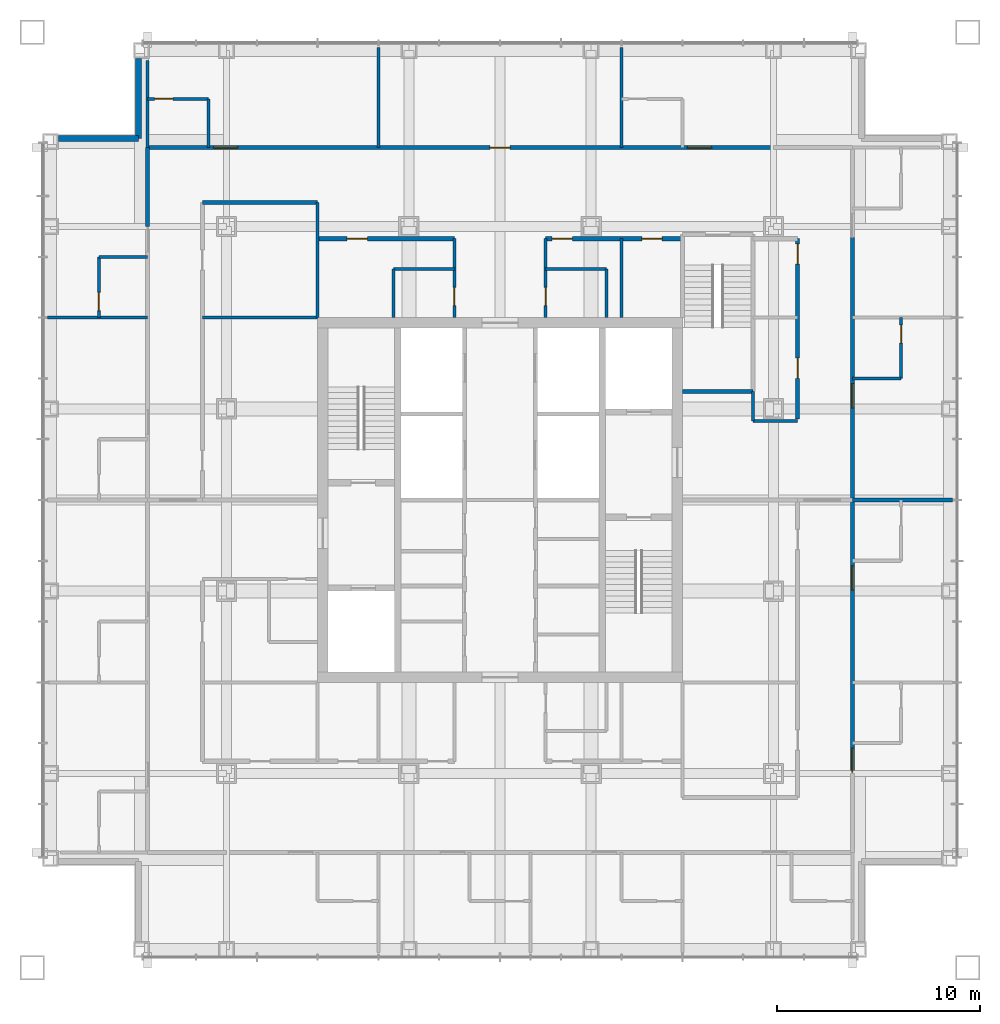
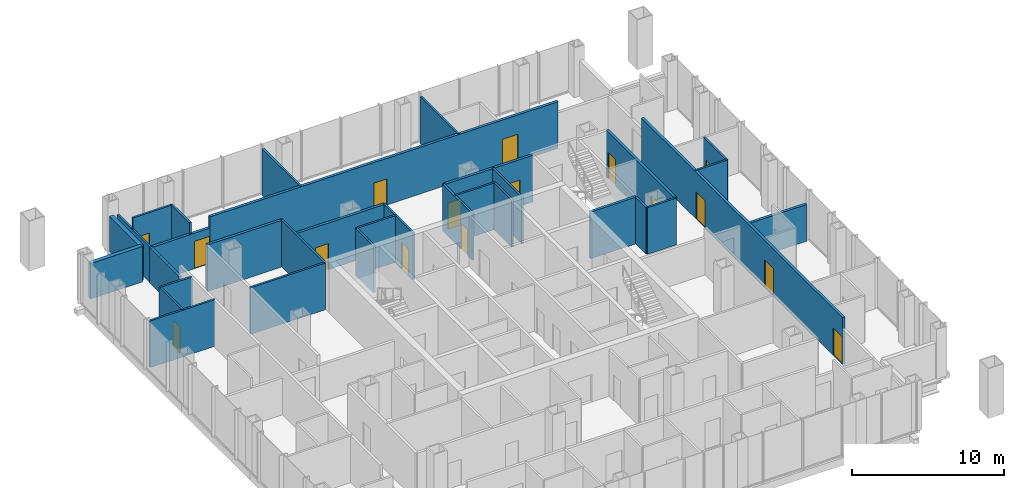
# One storey, part 9 of 11: 33 walls, 16 doors, 16 openings.
"""IFC4 building model written with IfcOpenShell, lengths in metres."""

from ifc_helpers import new_model, si_unit, direction, frame, frame_2d, origin, place, context, subcontext, project, spatial, rectangle, extrude, material, layer, layer_set, type_object, element, fill, save


model = new_model("IFC4")

# Units and contexts
model_context = context("Model", 3, precision=1e-05, world=origin(), true_north=direction((0.0, 1.0)))
body_context = subcontext(model_context, "Body", "Model", "MODEL_VIEW")
ifc_project = project(units=[si_unit("LENGTHUNIT", "METRE"), si_unit("AREAUNIT", "SQUARE_METRE"), si_unit("VOLUMEUNIT", "CUBIC_METRE"), si_unit("PLANEANGLEUNIT", "RADIAN"), si_unit("MASSUNIT", "GRAM", prefix="KILO")], contexts=[model_context])

# Site, building, storey
site_placement = place(None, origin())
site = spatial("IfcSite", under=ifc_project, at=site_placement, CompositionType="ELEMENT")
building_placement = place(site_placement, origin())
building = spatial("IfcBuilding", under=site, at=building_placement, Name="Malebo Sky Hospital", CompositionType="ELEMENT")
storey_placement = place(building_placement, frame((0.0, 0.0, 205.0)))
storey = spatial("IfcBuildingStorey", under=building, at=storey_placement, Name="L49", CompositionType="ELEMENT", Elevation=205.0)

# Wall, opening, door
ifc_material_1 = material(Name="Gypsum board on steel studs", Category="steel")
ifc_layer_1 = layer(ifc_material_1, 0.199951171875)
ifc_layer_set_1 = layer_set([ifc_layer_1], Name="CORRIDOR WALL 200")
wall_type_1 = type_object("IfcWallType", Name="CORRIDOR WALL 200", PredefinedType="PARTITIONING", material=ifc_layer_set_1)
wall_1_placement = place(storey_placement, frame((42.60009765625, 79.39990234375, 0.0), z_axis=(0.0, 0.0, 1.0), x_axis=(1.0, 0.0, 0.0)))
wall_1 = element("IfcWall", 1, at=wall_1_placement, inside=storey, type_object=wall_type_1, Name="Corridor Wall 200 NCO", PredefinedType="PARTITIONING", context=body_context, shape_type="SweptSolid", body=[
    extrude(rectangle(XDim=4.449951171875, YDim=0.199951171875, at=frame_2d((2.22509765625, 0.0))), origin(), (0.0, 0.0, 1.0), 2.85009765625),
])
opening_1_placement = place(wall_1_placement, frame((3.25, 0.0, 0.0)))
opening_1 = element("IfcOpeningElement", 2, at=opening_1_placement, cuts=wall_1, Name="Opening D01", PredefinedType="OPENING", context=body_context, shape_type="SweptSolid", body=[
    extrude(rectangle(XDim=1.199951171875, YDim=2.199951171875, at=frame_2d((0.60009765625, 1.10009765625))), frame((0.0, 0.10986328125, 0.0), z_axis=(0.0, -1.0, 0.0), x_axis=(1.0, 0.0, 0.0)), (0.0, 0.0, 1.0), 0.219970703125),
])
ifc_material_2 = material(Name="Hardwood-faced door leaf in steel frame", Category="steel")
door_type_1 = type_object("IfcDoorType", Name="BED DOOR 1200", OperationType="SINGLE_SWING_LEFT", PredefinedType="DOOR", material=ifc_material_2)
door_1_placement = place(opening_1_placement, origin())
door_1 = element("IfcDoor", 3, at=door_1_placement, inside=storey, type_object=door_type_1, Name="Birthing room door", OperationType="SINGLE_SWING_LEFT", OverallHeight=2.199951171875, OverallWidth=1.199951171875, PredefinedType="DOOR", context=body_context, shape_type="SweptSolid", body=[
    extrude(rectangle(XDim=1.199951171875, YDim=2.199951171875, at=frame_2d((0.60009765625, 1.10009765625))), frame((0.0, 0.02490234375, 0.0), z_axis=(0.0, -1.0, 0.0), x_axis=(1.0, 0.0, 0.0)), (0.0, 0.0, 1.0), 0.050048828125),
])
fill(opening_1, door_1)

# Wall, openings, doors
wall_2_placement = place(storey_placement, frame((47.050048828125, 79.39990234375, 0.0), z_axis=(0.0, 0.0, 1.0), x_axis=(1.0, 0.0, 0.0)))
wall_2 = element("IfcWall", 4, at=wall_2_placement, inside=storey, type_object=wall_type_1, Name="Corridor Wall 200 NCO", PredefinedType="PARTITIONING", context=body_context, shape_type="SweptSolid", body=[
    extrude(rectangle(XDim=26.449951171875, YDim=0.199951171875, at=frame_2d((13.22509765625, 0.0))), origin(), (0.0, 0.0, 1.0), 3.75),
])
opening_2_placement = place(wall_2_placement, frame((12.449951171875, 0.0, 0.0)))
opening_2 = element("IfcOpeningElement", 5, at=opening_2_placement, cuts=wall_2, Name="Opening D03", PredefinedType="OPENING", context=body_context, shape_type="SweptSolid", body=[
    extrude(rectangle(XDim=1.0, YDim=2.10009765625, at=frame_2d((0.5, 1.050048828125))), frame((0.0, 0.10986328125, 0.0), z_axis=(0.0, -1.0, 0.0), x_axis=(1.0, 0.0, 0.0)), (0.0, 0.0, 1.0), 0.219970703125),
])
opening_3_placement = place(wall_2_placement, frame((22.199951171875, 0.0, 0.0)))
opening_3 = element("IfcOpeningElement", 6, at=opening_3_placement, cuts=wall_2, Name="Opening D01", PredefinedType="OPENING", context=body_context, shape_type="SweptSolid", body=[
    extrude(rectangle(XDim=1.199951171875, YDim=2.199951171875, at=frame_2d((0.60009765625, 1.10009765625))), frame((0.0, 0.10986328125, 0.0), z_axis=(0.0, -1.0, 0.0), x_axis=(1.0, 0.0, 0.0)), (0.0, 0.0, 1.0), 0.219970703125),
])
door_2_placement = place(opening_3_placement, origin())
door_2 = element("IfcDoor", 7, at=door_2_placement, inside=storey, type_object=door_type_1, Name="Birthing room door", OperationType="SINGLE_SWING_LEFT", OverallHeight=2.199951171875, OverallWidth=1.199951171875, PredefinedType="DOOR", context=body_context, shape_type="SweptSolid", body=[
    extrude(rectangle(XDim=1.199951171875, YDim=2.199951171875, at=frame_2d((0.60009765625, 1.10009765625))), frame((0.0, 0.02490234375, 0.0), z_axis=(0.0, -1.0, 0.0), x_axis=(1.0, 0.0, 0.0)), (0.0, 0.0, 1.0), 0.050048828125),
])
fill(opening_3, door_2)
door_type_2 = type_object("IfcDoorType", Name="ROOM DOOR 1000", OperationType="SINGLE_SWING_LEFT", PredefinedType="DOOR", material=ifc_material_2)
door_3_placement = place(opening_2_placement, origin())
door_3 = element("IfcDoor", 8, at=door_3_placement, inside=storey, type_object=door_type_2, Name="Patient lounge door", OperationType="SINGLE_SWING_LEFT", OverallHeight=2.10009765625, OverallWidth=1.0, PredefinedType="DOOR", context=body_context, shape_type="SweptSolid", body=[
    extrude(rectangle(XDim=1.0, YDim=2.10009765625, at=frame_2d((0.5, 1.050048828125))), frame((0.0, 0.02490234375, 0.0), z_axis=(0.0, -1.0, 0.0), x_axis=(1.0, 0.0, 0.0)), (0.0, 0.0, 1.0), 0.050048828125),
])
fill(opening_2, door_3)

# Wall
wall_3_placement = place(storey_placement, frame((45.300048828125, 76.699951171875, 0.0), z_axis=(0.0, 0.0, 1.0), x_axis=(1.0, 0.0, 0.0)))
element("IfcWall", 9, at=wall_3_placement, inside=storey, type_object=wall_type_1, Name="Corridor Wall 200 NCIK", PredefinedType="PARTITIONING", context=body_context, shape_type="SweptSolid", body=[
    extrude(rectangle(XDim=5.699951171875, YDim=0.199951171875, at=frame_2d((2.85009765625, 0.0))), origin(), (0.0, 0.0, 1.0), 3.75),
])

# Wall, opening, door
wall_4_placement = place(storey_placement, frame((51.0, 74.89990234375, 0.0), z_axis=(0.0, 0.0, 1.0), x_axis=(1.0, 0.0, 0.0)))
wall_4 = element("IfcWall", 10, at=wall_4_placement, inside=storey, type_object=wall_type_1, Name="Corridor Wall 200 NCI1", PredefinedType="PARTITIONING", context=body_context, shape_type="SweptSolid", body=[
    extrude(rectangle(XDim=6.75, YDim=0.199951171875, at=frame_2d((3.375, 0.0))), origin(), (0.0, 0.0, 1.0), 3.75),
])
opening_4_placement = place(wall_4_placement, frame((1.449951171875, 0.0, 0.0)))
opening_4 = element("IfcOpeningElement", 11, at=opening_4_placement, cuts=wall_4, Name="Opening D03", PredefinedType="OPENING", context=body_context, shape_type="SweptSolid", body=[
    extrude(rectangle(XDim=1.0, YDim=2.10009765625, at=frame_2d((0.5, 1.050048828125))), frame((0.0, 0.10986328125, 0.0), z_axis=(0.0, -1.0, 0.0), x_axis=(1.0, 0.0, 0.0)), (0.0, 0.0, 1.0), 0.219970703125),
])
door_4_placement = place(opening_4_placement, origin())
door_4 = element("IfcDoor", 12, at=door_4_placement, inside=storey, type_object=door_type_2, Name="Neonatal resuscitation room door", OperationType="SINGLE_SWING_LEFT", OverallHeight=2.10009765625, OverallWidth=1.0, PredefinedType="DOOR", context=body_context, shape_type="SweptSolid", body=[
    extrude(rectangle(XDim=1.0, YDim=2.10009765625, at=frame_2d((0.5, 1.050048828125))), frame((0.0, 0.02490234375, 0.0), z_axis=(0.0, -1.0, 0.0), x_axis=(1.0, 0.0, 0.0)), (0.0, 0.0, 1.0), 0.050048828125),
])
fill(opening_4, door_4)

# Wall, openings, doors
wall_5_placement = place(storey_placement, frame((62.25, 74.89990234375, 0.0), z_axis=(0.0, 0.0, 1.0), x_axis=(1.0, 0.0, 0.0)))
wall_5 = element("IfcWall", 13, at=wall_5_placement, inside=storey, type_object=wall_type_1, Name="Corridor Wall 200 NCI2", PredefinedType="PARTITIONING", context=body_context, shape_type="SweptSolid", body=[
    extrude(rectangle(XDim=6.75, YDim=0.199951171875, at=frame_2d((3.375, 0.0))), origin(), (0.0, 0.0, 1.0), 3.75),
])
opening_5_placement = place(wall_5_placement, frame((0.324951171875, 0.0, 0.0)))
opening_5 = element("IfcOpeningElement", 14, at=opening_5_placement, cuts=wall_5, Name="Opening D03", PredefinedType="OPENING", context=body_context, shape_type="SweptSolid", body=[
    extrude(rectangle(XDim=1.0, YDim=2.10009765625, at=frame_2d((0.5, 1.050048828125))), frame((0.0, 0.10986328125, 0.0), z_axis=(0.0, -1.0, 0.0), x_axis=(1.0, 0.0, 0.0)), (0.0, 0.0, 1.0), 0.219970703125),
])
opening_6_placement = place(wall_5_placement, frame((4.75, 0.0, 0.0)))
opening_6 = element("IfcOpeningElement", 15, at=opening_6_placement, cuts=wall_5, Name="Opening D03", PredefinedType="OPENING", context=body_context, shape_type="SweptSolid", body=[
    extrude(rectangle(XDim=1.0, YDim=2.10009765625, at=frame_2d((0.5, 1.050048828125))), frame((0.0, 0.10986328125, 0.0), z_axis=(0.0, -1.0, 0.0), x_axis=(1.0, 0.0, 0.0)), (0.0, 0.0, 1.0), 0.219970703125),
])
door_5_placement = place(opening_5_placement, origin())
door_5 = element("IfcDoor", 16, at=door_5_placement, inside=storey, type_object=door_type_2, Name="Medication room door", OperationType="SINGLE_SWING_LEFT", OverallHeight=2.10009765625, OverallWidth=1.0, PredefinedType="DOOR", context=body_context, shape_type="SweptSolid", body=[
    extrude(rectangle(XDim=1.0, YDim=2.10009765625, at=frame_2d((0.5, 1.050048828125))), frame((0.0, 0.02490234375, 0.0), z_axis=(0.0, -1.0, 0.0), x_axis=(1.0, 0.0, 0.0)), (0.0, 0.0, 1.0), 0.050048828125),
])
fill(opening_5, door_5)
door_6_placement = place(opening_6_placement, origin())
door_6 = element("IfcDoor", 17, at=door_6_placement, inside=storey, type_object=door_type_2, Name="Dirty utility room door", OperationType="SINGLE_SWING_RIGHT", OverallHeight=2.10009765625, OverallWidth=1.0, PredefinedType="DOOR", context=body_context, shape_type="SweptSolid", body=[
    extrude(rectangle(XDim=1.0, YDim=2.10009765625, at=frame_2d((0.5, 1.050048828125))), frame((0.0, 0.02490234375, 0.0), z_axis=(0.0, -1.0, 0.0), x_axis=(1.0, 0.0, 0.0)), (0.0, 0.0, 1.0), 0.050048828125),
])
fill(opening_6, door_6)

# Wall
wall_6_placement = place(storey_placement, frame((42.60009765625, 75.5, 0.0), z_axis=(0.0, 0.0, 1.0), x_axis=(0.0, 1.0, 0.0)))
element("IfcWall", 18, at=wall_6_placement, inside=storey, type_object=wall_type_1, Name="Corridor Wall 200 WCO", PredefinedType="PARTITIONING", context=body_context, shape_type="SweptSolid", body=[
    extrude(rectangle(XDim=3.89990234375, YDim=0.199951171875, at=frame_2d((1.949951171875, 0.0))), origin(), (0.0, 0.0, 1.0), 2.85009765625),
])

# Wall, openings, doors
wall_7_placement = place(storey_placement, frame((77.39990234375, 74.949951171875, 0.0), z_axis=(0.0, 0.0, 1.0), x_axis=(0.0, -1.0, 0.0)))
wall_7 = element("IfcWall", 19, at=wall_7_placement, inside=storey, type_object=wall_type_1, Name="Corridor Wall 200 ECO", PredefinedType="PARTITIONING", context=body_context, shape_type="SweptSolid", body=[
    extrude(rectangle(XDim=26.449951171875, YDim=0.199951171875, at=frame_2d((13.22509765625, 0.0))), origin(), (0.0, 0.0, 1.0), 3.75),
])
opening_7_placement = place(wall_7_placement, frame((7.199951171875, 0.0, 0.0)))
opening_7 = element("IfcOpeningElement", 20, at=opening_7_placement, cuts=wall_7, Name="Opening D01", PredefinedType="OPENING", context=body_context, shape_type="SweptSolid", body=[
    extrude(rectangle(XDim=1.199951171875, YDim=2.199951171875, at=frame_2d((0.60009765625, 1.10009765625))), frame((0.0, 0.10986328125, 0.0), z_axis=(0.0, -1.0, 0.0), x_axis=(1.0, 0.0, 0.0)), (0.0, 0.0, 1.0), 0.219970703125),
])
opening_8_placement = place(wall_7_placement, frame((16.199951171875, 0.0, 0.0)))
opening_8 = element("IfcOpeningElement", 21, at=opening_8_placement, cuts=wall_7, Name="Opening D01", PredefinedType="OPENING", context=body_context, shape_type="SweptSolid", body=[
    extrude(rectangle(XDim=1.199951171875, YDim=2.199951171875, at=frame_2d((0.60009765625, 1.10009765625))), frame((0.0, 0.10986328125, 0.0), z_axis=(0.0, -1.0, 0.0), x_axis=(1.0, 0.0, 0.0)), (0.0, 0.0, 1.0), 0.219970703125),
])
opening_9_placement = place(wall_7_placement, frame((25.199951171875, 0.0, 0.0)))
opening_9 = element("IfcOpeningElement", 22, at=opening_9_placement, cuts=wall_7, Name="Opening D01", PredefinedType="OPENING", context=body_context, shape_type="SweptSolid", body=[
    extrude(rectangle(XDim=1.199951171875, YDim=2.199951171875, at=frame_2d((0.60009765625, 1.10009765625))), frame((0.0, 0.10986328125, 0.0), z_axis=(0.0, -1.0, 0.0), x_axis=(1.0, 0.0, 0.0)), (0.0, 0.0, 1.0), 0.219970703125),
])
door_7_placement = place(opening_7_placement, origin())
door_7 = element("IfcDoor", 23, at=door_7_placement, inside=storey, type_object=door_type_1, Name="Birthing room door", OperationType="SINGLE_SWING_LEFT", OverallHeight=2.199951171875, OverallWidth=1.199951171875, PredefinedType="DOOR", context=body_context, shape_type="SweptSolid", body=[
    extrude(rectangle(XDim=1.199951171875, YDim=2.199951171875, at=frame_2d((0.60009765625, 1.10009765625))), frame((0.0, 0.02490234375, 0.0), z_axis=(0.0, -1.0, 0.0), x_axis=(1.0, 0.0, 0.0)), (0.0, 0.0, 1.0), 0.050048828125),
])
fill(opening_7, door_7)
door_8_placement = place(opening_8_placement, origin())
door_8 = element("IfcDoor", 24, at=door_8_placement, inside=storey, type_object=door_type_1, Name="Birthing room door", OperationType="SINGLE_SWING_LEFT", OverallHeight=2.199951171875, OverallWidth=1.199951171875, PredefinedType="DOOR", context=body_context, shape_type="SweptSolid", body=[
    extrude(rectangle(XDim=1.199951171875, YDim=2.199951171875, at=frame_2d((0.60009765625, 1.10009765625))), frame((0.0, 0.02490234375, 0.0), z_axis=(0.0, -1.0, 0.0), x_axis=(1.0, 0.0, 0.0)), (0.0, 0.0, 1.0), 0.050048828125),
])
fill(opening_8, door_8)
door_9_placement = place(opening_9_placement, origin())
door_9 = element("IfcDoor", 25, at=door_9_placement, inside=storey, type_object=door_type_1, Name="Birthing room door", OperationType="SINGLE_SWING_LEFT", OverallHeight=2.199951171875, OverallWidth=1.199951171875, PredefinedType="DOOR", context=body_context, shape_type="SweptSolid", body=[
    extrude(rectangle(XDim=1.199951171875, YDim=2.199951171875, at=frame_2d((0.60009765625, 1.10009765625))), frame((0.0, 0.02490234375, 0.0), z_axis=(0.0, -1.0, 0.0), x_axis=(1.0, 0.0, 0.0)), (0.0, 0.0, 1.0), 0.050048828125),
])
fill(opening_9, door_9)

wall_8_placement = place(storey_placement, frame((74.699951171875, 74.89990234375, 0.0), z_axis=(0.0, 0.0, 1.0), x_axis=(0.0, -1.0, 0.0)))
wall_8 = element("IfcWall", 26, at=wall_8_placement, inside=storey, type_object=wall_type_1, Name="Corridor Wall 200 ECI1", PredefinedType="PARTITIONING", context=body_context, shape_type="SweptSolid", body=[
    extrude(rectangle(XDim=8.89990234375, YDim=0.199951171875, at=frame_2d((4.449951171875, 0.0))), origin(), (0.0, 0.0, 1.0), 3.75),
])
opening_10_placement = place(wall_8_placement, frame((0.25, 0.0, 0.0)))
opening_10 = element("IfcOpeningElement", 27, at=opening_10_placement, cuts=wall_8, Name="Opening D03", PredefinedType="OPENING", context=body_context, shape_type="SweptSolid", body=[
    extrude(rectangle(XDim=1.0, YDim=2.10009765625, at=frame_2d((0.5, 1.050048828125))), frame((0.0, 0.10986328125, 0.0), z_axis=(0.0, -1.0, 0.0), x_axis=(1.0, 0.0, 0.0)), (0.0, 0.0, 1.0), 0.219970703125),
])
opening_11_placement = place(wall_8_placement, frame((5.89990234375, 0.0, 0.0)))
opening_11 = element("IfcOpeningElement", 28, at=opening_11_placement, cuts=wall_8, Name="Opening D03", PredefinedType="OPENING", context=body_context, shape_type="SweptSolid", body=[
    extrude(rectangle(XDim=1.0, YDim=2.10009765625, at=frame_2d((0.5, 1.050048828125))), frame((0.0, 0.10986328125, 0.0), z_axis=(0.0, -1.0, 0.0), x_axis=(1.0, 0.0, 0.0)), (0.0, 0.0, 1.0), 0.219970703125),
])
door_10_placement = place(opening_10_placement, origin())
door_10 = element("IfcDoor", 29, at=door_10_placement, inside=storey, type_object=door_type_2, Name="Treatment room door", OperationType="SINGLE_SWING_LEFT", OverallHeight=2.10009765625, OverallWidth=1.0, PredefinedType="DOOR", context=body_context, shape_type="SweptSolid", body=[
    extrude(rectangle(XDim=1.0, YDim=2.10009765625, at=frame_2d((0.5, 1.050048828125))), frame((0.0, 0.02490234375, 0.0), z_axis=(0.0, -1.0, 0.0), x_axis=(1.0, 0.0, 0.0)), (0.0, 0.0, 1.0), 0.050048828125),
])
fill(opening_10, door_10)
door_11_placement = place(opening_11_placement, origin())
door_11 = element("IfcDoor", 30, at=door_11_placement, inside=storey, type_object=door_type_2, Name="Interview room door", OperationType="SINGLE_SWING_LEFT", OverallHeight=2.10009765625, OverallWidth=1.0, PredefinedType="DOOR", context=body_context, shape_type="SweptSolid", body=[
    extrude(rectangle(XDim=1.0, YDim=2.10009765625, at=frame_2d((0.5, 1.050048828125))), frame((0.0, 0.02490234375, 0.0), z_axis=(0.0, -1.0, 0.0), x_axis=(1.0, 0.0, 0.0)), (0.0, 0.0, 1.0), 0.050048828125),
])
fill(opening_11, door_11)

# Walls
ifc_material_3 = material(Name="Anodised aluminium rainscreen on steel framing", Category="steel")
ifc_layer_2 = layer(ifc_material_3, 0.300048828125)
ifc_layer_set_2 = layer_set([ifc_layer_2], Name="NOTCH RAINSCREEN WALL 300")
wall_type_2 = type_object("IfcWallType", Name="NOTCH RAINSCREEN WALL 300", PredefinedType="ELEMENTEDWALL", material=ifc_layer_set_2)
for number, where, z_axis, x_axis, name in (
    (31, (38.199951171875, 79.85009765625, 0.0), (0.0, 0.0, 1.0), (1.0, 0.0, 0.0), "Notch rainscreen wall W1 L49"),
    (32, (42.14990234375, 79.85009765625, 0.0), (0.0, 0.0, 1.0), (0.0, 1.0, 0.0), "Notch rainscreen wall W2 L49"),
):
    element("IfcWall", number, at=place(storey_placement, frame(where, z_axis=z_axis, x_axis=x_axis)), inside=storey, type_object=wall_type_2, Name=name, PredefinedType="ELEMENTEDWALL", context=body_context, shape_type="SweptSolid", body=[
        extrude(rectangle(XDim=3.949951171875, YDim=0.300048828125, at=frame_2d((1.97509765625, 0.0))), origin(), (0.0, 0.0, 1.0), 2.85009765625),
    ])
ifc_layer_3 = layer(ifc_material_1, 0.14990234375)
ifc_layer_set_3 = layer_set([ifc_layer_3], Name="PARTITION 150")
wall_type_3 = type_object("IfcWallType", Name="PARTITION 150", PredefinedType="PARTITIONING", material=ifc_layer_set_3)
for number, where, z_axis, x_axis, name in (
    (33, (54.0, 79.39990234375, 0.0), (0.0, 0.0, 1.0), (0.0, 1.0, 0.0), "Partition 150 NP-6.0"),
    (34, (66.0, 79.39990234375, 0.0), (0.0, 0.0, 1.0), (0.0, 1.0, 0.0), "Partition 150 NP+6.0"),
):
    element("IfcWall", number, at=place(storey_placement, frame(where, z_axis=z_axis, x_axis=x_axis)), inside=storey, type_object=wall_type_3, Name=name, PredefinedType="PARTITIONING", context=body_context, shape_type="SweptSolid", body=[
        extrude(rectangle(XDim=4.9501953125, YDim=0.14990234375, at=frame_2d((2.47509765625, 0.0))), origin(), (0.0, 0.0, 1.0), 3.75),
    ])
wall_9_placement = place(storey_placement, frame((42.60009765625, 79.39990234375, 0.0), z_axis=(0.0, 0.0, 1.0), x_axis=(0.0, 1.0, 0.0)))
element("IfcWall", 35, at=wall_9_placement, inside=storey, type_object=wall_type_3, Name="Partition 150 NP0", PredefinedType="PARTITIONING", context=body_context, shape_type="SweptSolid", body=[
    extrude(rectangle(XDim=4.300048828125, YDim=0.14990234375, at=frame_2d((2.14990234375, 0.0))), origin(), (0.0, 0.0, 1.0), 2.85009765625),
])

# Wall, opening, door
wall_10_placement = place(storey_placement, frame((42.60009765625, 81.800048828125, 0.0), z_axis=(0.0, 0.0, 1.0), x_axis=(1.0, 0.0, 0.0)))
wall_10 = element("IfcWall", 36, at=wall_10_placement, inside=storey, type_object=wall_type_3, Name="Partition 150 NE0F", PredefinedType="PARTITIONING", context=body_context, shape_type="SweptSolid", body=[
    extrude(rectangle(XDim=3.0, YDim=0.14990234375, at=frame_2d((1.5, 0.0))), origin(), (0.0, 0.0, 1.0), 3.75),
])
opening_12_placement = place(wall_10_placement, frame((0.35009765625, 0.0, 0.0)))
opening_12 = element("IfcOpeningElement", 37, at=opening_12_placement, cuts=wall_10, Name="Opening D02", PredefinedType="OPENING", context=body_context, shape_type="SweptSolid", body=[
    extrude(rectangle(XDim=0.89990234375, YDim=2.10009765625, at=frame_2d((0.449951171875, 1.050048828125))), frame((0.0, 0.0849609375, 0.0), z_axis=(0.0, -1.0, 0.0), x_axis=(1.0, 0.0, 0.0)), (0.0, 0.0, 1.0), 0.169921875),
])
door_type_3 = type_object("IfcDoorType", Name="EN-SUITE DOOR 900", OperationType="SINGLE_SWING_LEFT", PredefinedType="DOOR", material=ifc_material_2)
door_12_placement = place(opening_12_placement, origin())
door_12 = element("IfcDoor", 38, at=door_12_placement, inside=storey, type_object=door_type_3, Name="En-suite door", OperationType="SINGLE_SWING_LEFT", OverallHeight=2.10009765625, OverallWidth=0.89990234375, PredefinedType="DOOR", context=body_context, shape_type="SweptSolid", body=[
    extrude(rectangle(XDim=0.89990234375, YDim=2.10009765625, at=frame_2d((0.449951171875, 1.050048828125))), frame((0.0, 0.02490234375, 0.0), z_axis=(0.0, -1.0, 0.0), x_axis=(1.0, 0.0, 0.0)), (0.0, 0.0, 1.0), 0.050048828125),
])
fill(opening_12, door_12)

# Walls
wall_11_placement = place(storey_placement, frame((45.60009765625, 79.39990234375, 0.0), z_axis=(0.0, 0.0, 1.0), x_axis=(0.0, 1.0, 0.0)))
element("IfcWall", 39, at=wall_11_placement, inside=storey, type_object=wall_type_3, Name="Partition 150 NE0S", PredefinedType="PARTITIONING", context=body_context, shape_type="SweptSolid", body=[
    extrude(rectangle(XDim=2.400146484375, YDim=0.14990234375, at=frame_2d((1.2001953125, 0.0))), origin(), (0.0, 0.0, 1.0), 3.75),
])
wall_12_placement = place(storey_placement, frame((51.0, 71.0, 0.0), z_axis=(0.0, 0.0, 1.0), x_axis=(0.0, 1.0, 0.0)))
element("IfcWall", 40, at=wall_12_placement, inside=storey, type_object=wall_type_3, Name="Partition 150 NSP0", PredefinedType="PARTITIONING", context=body_context, shape_type="SweptSolid", body=[
    extrude(rectangle(XDim=5.699951171875, YDim=0.14990234375, at=frame_2d((2.85009765625, 0.0))), origin(), (0.0, 0.0, 1.0), 3.75),
])

# Wall, opening, door
wall_13_placement = place(storey_placement, frame((57.75, 71.0, 0.0), z_axis=(0.0, 0.0, 1.0), x_axis=(0.0, 1.0, 0.0)))
wall_13 = element("IfcWall", 41, at=wall_13_placement, inside=storey, type_object=wall_type_3, Name="Partition 150 NSPA", PredefinedType="PARTITIONING", context=body_context, shape_type="SweptSolid", body=[
    extrude(rectangle(XDim=3.89990234375, YDim=0.14990234375, at=frame_2d((1.949951171875, 0.0))), origin(), (0.0, 0.0, 1.0), 3.75),
])
opening_13_placement = place(wall_13_placement, frame((0.60009765625, 0.0, 0.0)))
opening_13 = element("IfcOpeningElement", 42, at=opening_13_placement, cuts=wall_13, Name="Opening D04", PredefinedType="OPENING", context=body_context, shape_type="SweptSolid", body=[
    extrude(rectangle(XDim=0.89990234375, YDim=2.10009765625, at=frame_2d((0.449951171875, 1.050048828125))), frame((0.0, 0.0849609375, 0.0), z_axis=(0.0, -1.0, 0.0), x_axis=(1.0, 0.0, 0.0)), (0.0, 0.0, 1.0), 0.169921875),
])
door_type_4 = type_object("IfcDoorType", Name="ROOM DOOR 900", OperationType="SINGLE_SWING_LEFT", PredefinedType="DOOR", material=ifc_material_2)
door_13_placement = place(opening_13_placement, origin())
door_13 = element("IfcDoor", 43, at=door_13_placement, inside=storey, type_object=door_type_4, Name="Staff WC door", OperationType="SINGLE_SWING_LEFT", OverallHeight=2.10009765625, OverallWidth=0.89990234375, PredefinedType="DOOR", context=body_context, shape_type="SweptSolid", body=[
    extrude(rectangle(XDim=0.89990234375, YDim=2.10009765625, at=frame_2d((0.449951171875, 1.050048828125))), frame((0.0, 0.02490234375, 0.0), z_axis=(0.0, -1.0, 0.0), x_axis=(1.0, 0.0, 0.0)), (0.0, 0.0, 1.0), 0.050048828125),
])
fill(opening_13, door_13)

wall_14_placement = place(storey_placement, frame((62.25, 71.0, 0.0), z_axis=(0.0, 0.0, 1.0), x_axis=(0.0, 1.0, 0.0)))
wall_14 = element("IfcWall", 44, at=wall_14_placement, inside=storey, type_object=wall_type_3, Name="Partition 150 NSPB", PredefinedType="PARTITIONING", context=body_context, shape_type="SweptSolid", body=[
    extrude(rectangle(XDim=3.89990234375, YDim=0.14990234375, at=frame_2d((1.949951171875, 0.0))), origin(), (0.0, 0.0, 1.0), 3.75),
])
opening_14_placement = place(wall_14_placement, frame((0.60009765625, 0.0, 0.0)))
opening_14 = element("IfcOpeningElement", 45, at=opening_14_placement, cuts=wall_14, Name="Opening D04", PredefinedType="OPENING", context=body_context, shape_type="SweptSolid", body=[
    extrude(rectangle(XDim=0.89990234375, YDim=2.10009765625, at=frame_2d((0.449951171875, 1.050048828125))), frame((0.0, 0.0849609375, 0.0), z_axis=(0.0, -1.0, 0.0), x_axis=(1.0, 0.0, 0.0)), (0.0, 0.0, 1.0), 0.169921875),
])
door_14_placement = place(opening_14_placement, origin())
door_14 = element("IfcDoor", 46, at=door_14_placement, inside=storey, type_object=door_type_4, Name="Accessible WC door", OperationType="SINGLE_SWING_LEFT", OverallHeight=2.10009765625, OverallWidth=0.89990234375, PredefinedType="DOOR", context=body_context, shape_type="SweptSolid", body=[
    extrude(rectangle(XDim=0.89990234375, YDim=2.10009765625, at=frame_2d((0.449951171875, 1.050048828125))), frame((0.0, 0.02490234375, 0.0), z_axis=(0.0, -1.0, 0.0), x_axis=(1.0, 0.0, 0.0)), (0.0, 0.0, 1.0), 0.050048828125),
])
fill(opening_14, door_14)

# Walls
wall_15_placement = place(storey_placement, frame((66.0, 71.0, 0.0), z_axis=(0.0, 0.0, 1.0), x_axis=(0.0, 1.0, 0.0)))
element("IfcWall", 47, at=wall_15_placement, inside=storey, type_object=wall_type_3, Name="Partition 150 NSP+6.0", PredefinedType="PARTITIONING", context=body_context, shape_type="SweptSolid", body=[
    extrude(rectangle(XDim=3.89990234375, YDim=0.14990234375, at=frame_2d((1.949951171875, 0.0))), origin(), (0.0, 0.0, 1.0), 3.75),
])
wall_16_placement = place(storey_placement, frame((54.75, 73.39990234375, 0.0), z_axis=(0.0, 0.0, 1.0), x_axis=(1.0, 0.0, 0.0)))
element("IfcWall", 48, at=wall_16_placement, inside=storey, type_object=wall_type_3, Name="Partition 150 NSX0", PredefinedType="PARTITIONING", context=body_context, shape_type="SweptSolid", body=[
    extrude(rectangle(XDim=3.0, YDim=0.14990234375, at=frame_2d((1.5, 0.0))), origin(), (0.0, 0.0, 1.0), 3.75),
])
wall_17_placement = place(storey_placement, frame((54.75, 71.0, 0.0), z_axis=(0.0, 0.0, 1.0), x_axis=(0.0, 1.0, 0.0)))
element("IfcWall", 49, at=wall_17_placement, inside=storey, type_object=wall_type_3, Name="Partition 150 NSY0", PredefinedType="PARTITIONING", context=body_context, shape_type="SweptSolid", body=[
    extrude(rectangle(XDim=2.39990234375, YDim=0.14990234375, at=frame_2d((1.199951171875, 0.0))), origin(), (0.0, 0.0, 1.0), 3.75),
])
wall_18_placement = place(storey_placement, frame((62.25, 73.39990234375, 0.0), z_axis=(0.0, 0.0, 1.0), x_axis=(1.0, 0.0, 0.0)))
element("IfcWall", 50, at=wall_18_placement, inside=storey, type_object=wall_type_3, Name="Partition 150 NSX1", PredefinedType="PARTITIONING", context=body_context, shape_type="SweptSolid", body=[
    extrude(rectangle(XDim=3.0, YDim=0.14990234375, at=frame_2d((1.5, 0.0))), origin(), (0.0, 0.0, 1.0), 3.75),
])
wall_19_placement = place(storey_placement, frame((65.25, 71.0, 0.0), z_axis=(0.0, 0.0, 1.0), x_axis=(0.0, 1.0, 0.0)))
element("IfcWall", 51, at=wall_19_placement, inside=storey, type_object=wall_type_3, Name="Partition 150 NSY1", PredefinedType="PARTITIONING", context=body_context, shape_type="SweptSolid", body=[
    extrude(rectangle(XDim=2.39990234375, YDim=0.14990234375, at=frame_2d((1.199951171875, 0.0))), origin(), (0.0, 0.0, 1.0), 3.75),
])
wall_20_placement = place(storey_placement, frame((42.60009765625, 71.0, 0.0), z_axis=(0.0, 0.0, 1.0), x_axis=(-1.0, 0.0, 0.0)))
element("IfcWall", 52, at=wall_20_placement, inside=storey, type_object=wall_type_3, Name="Partition 150 WP+9.0", PredefinedType="PARTITIONING", context=body_context, shape_type="SweptSolid", body=[
    extrude(rectangle(XDim=4.9501953125, YDim=0.14990234375, at=frame_2d((2.47509765625, 0.0))), origin(), (0.0, 0.0, 1.0), 3.75),
])

# Wall, opening, door
wall_21_placement = place(storey_placement, frame((40.199951171875, 71.0, 0.0), z_axis=(0.0, 0.0, 1.0), x_axis=(0.0, 1.0, 0.0)))
wall_21 = element("IfcWall", 53, at=wall_21_placement, inside=storey, type_object=wall_type_3, Name="Partition 150 WE3F", PredefinedType="PARTITIONING", context=body_context, shape_type="SweptSolid", body=[
    extrude(rectangle(XDim=3.0, YDim=0.14990234375, at=frame_2d((1.5, 0.0))), origin(), (0.0, 0.0, 1.0), 3.75),
])
opening_15_placement = place(wall_21_placement, frame((0.35009765625, 0.0, 0.0)))
opening_15 = element("IfcOpeningElement", 54, at=opening_15_placement, cuts=wall_21, Name="Opening D02", PredefinedType="OPENING", context=body_context, shape_type="SweptSolid", body=[
    extrude(rectangle(XDim=0.89990234375, YDim=2.10009765625, at=frame_2d((0.449951171875, 1.050048828125))), frame((0.0, 0.0849609375, 0.0), z_axis=(0.0, -1.0, 0.0), x_axis=(1.0, 0.0, 0.0)), (0.0, 0.0, 1.0), 0.169921875),
])
door_15_placement = place(opening_15_placement, origin())
door_15 = element("IfcDoor", 55, at=door_15_placement, inside=storey, type_object=door_type_3, Name="En-suite door", OperationType="SINGLE_SWING_LEFT", OverallHeight=2.10009765625, OverallWidth=0.89990234375, PredefinedType="DOOR", context=body_context, shape_type="SweptSolid", body=[
    extrude(rectangle(XDim=0.89990234375, YDim=2.10009765625, at=frame_2d((0.449951171875, 1.050048828125))), frame((0.0, 0.02490234375, 0.0), z_axis=(0.0, -1.0, 0.0), x_axis=(1.0, 0.0, 0.0)), (0.0, 0.0, 1.0), 0.050048828125),
])
fill(opening_15, door_15)

# Walls
wall_22_placement = place(storey_placement, frame((42.60009765625, 74.0, 0.0), z_axis=(0.0, 0.0, 1.0), x_axis=(-1.0, 0.0, 0.0)))
element("IfcWall", 56, at=wall_22_placement, inside=storey, type_object=wall_type_3, Name="Partition 150 WE3S", PredefinedType="PARTITIONING", context=body_context, shape_type="SweptSolid", body=[
    extrude(rectangle(XDim=2.400146484375, YDim=0.14990234375, at=frame_2d((1.2001953125, 0.0))), origin(), (0.0, 0.0, 1.0), 3.75),
])
wall_23_placement = place(storey_placement, frame((51.0, 71.0, 0.0), z_axis=(0.0, 0.0, 1.0), x_axis=(-1.0, 0.0, 0.0)))
element("IfcWall", 57, at=wall_23_placement, inside=storey, type_object=wall_type_3, Name="Partition 150 WSP+9.0", PredefinedType="PARTITIONING", context=body_context, shape_type="SweptSolid", body=[
    extrude(rectangle(XDim=5.699951171875, YDim=0.14990234375, at=frame_2d((2.85009765625, 0.0))), origin(), (0.0, 0.0, 1.0), 3.75),
])

# Wall, opening, door
wall_24_placement = place(storey_placement, frame((79.800048828125, 71.0, 0.0), z_axis=(0.0, 0.0, 1.0), x_axis=(0.0, -1.0, 0.0)))
wall_24 = element("IfcWall", 58, at=wall_24_placement, inside=storey, type_object=wall_type_3, Name="Partition 150 EE1F", PredefinedType="PARTITIONING", context=body_context, shape_type="SweptSolid", body=[
    extrude(rectangle(XDim=3.0, YDim=0.14990234375, at=frame_2d((1.5, 0.0))), origin(), (0.0, 0.0, 1.0), 3.75),
])
opening_16_placement = place(wall_24_placement, frame((0.35009765625, 0.0, 0.0)))
opening_16 = element("IfcOpeningElement", 59, at=opening_16_placement, cuts=wall_24, Name="Opening D02", PredefinedType="OPENING", context=body_context, shape_type="SweptSolid", body=[
    extrude(rectangle(XDim=0.89990234375, YDim=2.10009765625, at=frame_2d((0.449951171875, 1.050048828125))), frame((0.0, 0.0849609375, 0.0), z_axis=(0.0, -1.0, 0.0), x_axis=(1.0, 0.0, 0.0)), (0.0, 0.0, 1.0), 0.169921875),
])
door_16_placement = place(opening_16_placement, origin())
door_16 = element("IfcDoor", 60, at=door_16_placement, inside=storey, type_object=door_type_3, Name="En-suite door", OperationType="SINGLE_SWING_LEFT", OverallHeight=2.10009765625, OverallWidth=0.89990234375, PredefinedType="DOOR", context=body_context, shape_type="SweptSolid", body=[
    extrude(rectangle(XDim=0.89990234375, YDim=2.10009765625, at=frame_2d((0.449951171875, 1.050048828125))), frame((0.0, 0.02490234375, 0.0), z_axis=(0.0, -1.0, 0.0), x_axis=(1.0, 0.0, 0.0)), (0.0, 0.0, 1.0), 0.050048828125),
])
fill(opening_16, door_16)

# Walls
wall_25_placement = place(storey_placement, frame((77.39990234375, 68.0, 0.0), z_axis=(0.0, 0.0, 1.0), x_axis=(1.0, 0.0, 0.0)))
element("IfcWall", 61, at=wall_25_placement, inside=storey, type_object=wall_type_3, Name="Partition 150 EE1S", PredefinedType="PARTITIONING", context=body_context, shape_type="SweptSolid", body=[
    extrude(rectangle(XDim=2.400146484375, YDim=0.14990234375, at=frame_2d((1.2001953125, 0.0))), origin(), (0.0, 0.0, 1.0), 3.75),
])
wall_26_placement = place(storey_placement, frame((72.5, 65.89990234375, 0.0), z_axis=(0.0, 0.0, 1.0), x_axis=(1.0, 0.0, 0.0)))
element("IfcWall", 62, at=wall_26_placement, inside=storey, type_object=wall_type_3, Name="Partition 150 ESPA", PredefinedType="PARTITIONING", context=body_context, shape_type="SweptSolid", body=[
    extrude(rectangle(XDim=2.199951171875, YDim=0.14990234375, at=frame_2d((1.10009765625, 0.0))), origin(), (0.0, 0.0, 1.0), 3.75),
])
wall_27_placement = place(storey_placement, frame((72.5, 65.89990234375, 0.0), z_axis=(0.0, 0.0, 1.0), x_axis=(0.0, 1.0, 0.0)))
element("IfcWall", 63, at=wall_27_placement, inside=storey, type_object=wall_type_3, Name="Partition 150 ST3C", PredefinedType="PARTITIONING", context=body_context, shape_type="SweptSolid", body=[
    extrude(rectangle(XDim=1.4501953125, YDim=0.14990234375, at=frame_2d((0.72509765625, 0.0))), origin(), (0.0, 0.0, 1.0), 3.75),
])
ifc_material_4 = material(Name="Concrete blockwork", Category="masonry")
ifc_layer_4 = layer(ifc_material_4, 0.199951171875)
ifc_layer_set_4 = layer_set([ifc_layer_4], Name="SMOKE BARRIER WALL 200")
wall_type_4 = type_object("IfcWallType", Name="SMOKE BARRIER WALL 200", PredefinedType="SOLIDWALL", material=ifc_layer_set_4)
wall_28_placement = place(storey_placement, frame((77.39990234375, 62.0, 0.0), z_axis=(0.0, 0.0, 1.0), x_axis=(1.0, 0.0, 0.0)))
element("IfcWall", 64, at=wall_28_placement, inside=storey, type_object=wall_type_4, Name="Smoke Barrier Wall 200 EP+0.0", PredefinedType="SOLIDWALL", context=body_context, shape_type="SweptSolid", body=[
    extrude(rectangle(XDim=4.9501953125, YDim=0.199951171875, at=frame_2d((2.47509765625, 0.0))), origin(), (0.0, 0.0, 1.0), 2.949951171875),
])
ifc_material_5 = material(Name="Concrete C40/50", Category="concrete")
ifc_layer_5 = layer(ifc_material_5, 0.199951171875)
ifc_layer_set_5 = layer_set([ifc_layer_5], Name="STAIR ENCLOSURE WALL 200")
wall_type_5 = type_object("IfcWallType", Name="STAIR ENCLOSURE WALL 200", PredefinedType="SOLIDWALL", material=ifc_layer_set_5)
wall_29_placement = place(storey_placement, frame((69.0, 67.35009765625, 0.0), z_axis=(0.0, 0.0, 1.0), x_axis=(1.0, 0.0, 0.0)))
element("IfcWall", 65, at=wall_29_placement, inside=storey, type_object=wall_type_5, Name="Stair Enclosure Wall 200 ST3S", PredefinedType="SOLIDWALL", context=body_context, shape_type="SweptSolid", body=[
    extrude(rectangle(XDim=3.5, YDim=0.199951171875, at=frame_2d((1.75, 0.0))), origin(), (0.0, 0.0, 1.0), 3.75),
])

save(model, "model.ifc")
